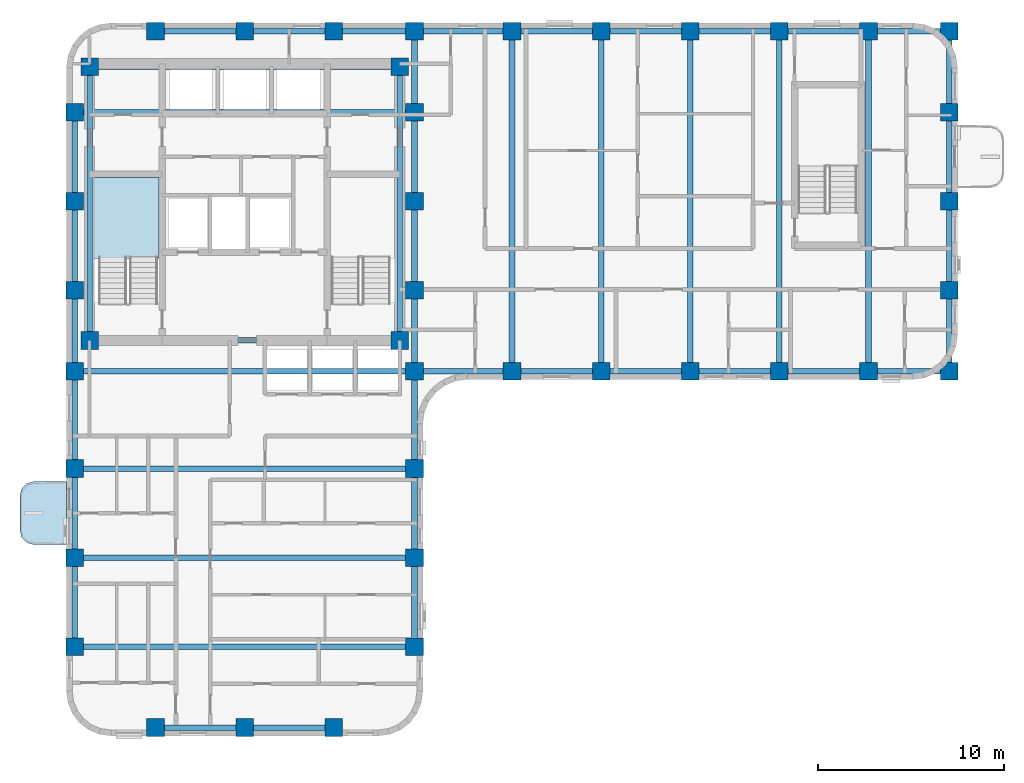
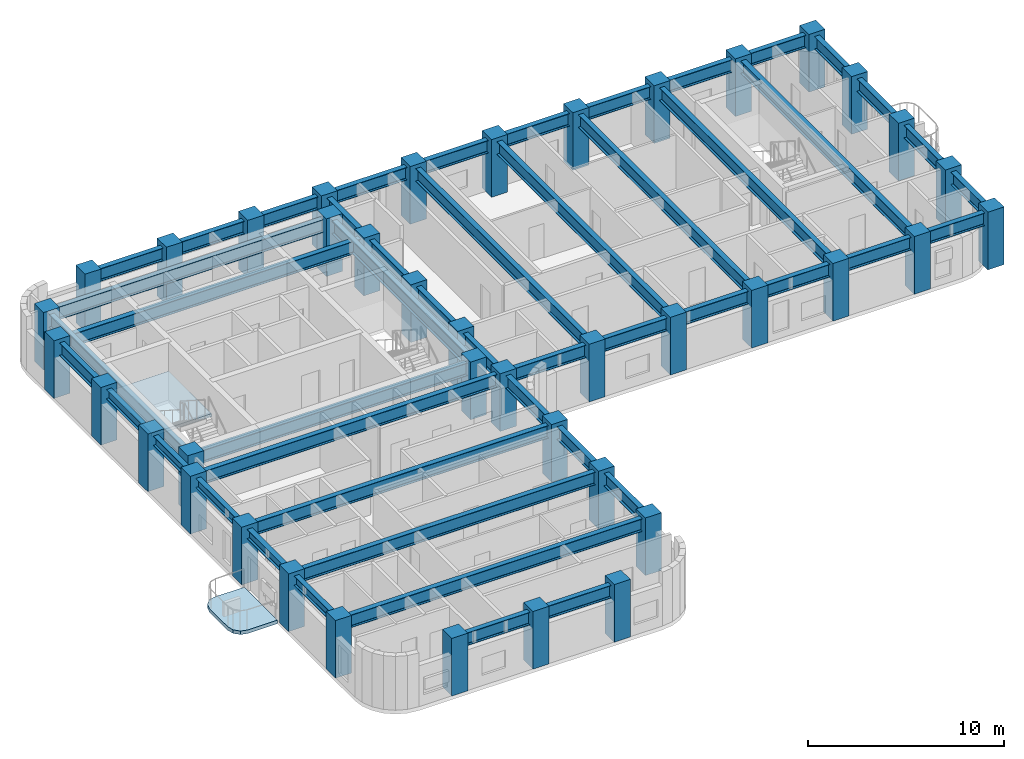
# One storey, part 1 of 9: 48 beams, 40 columns, 2 slabs, 1 element without a shape of its own.
"""IFC4 building model written with IfcOpenShell, lengths in metres."""

from ifc_helpers import new_model, si_unit, direction, frame, origin, origin_2d, place, context, subcontext, project, spatial, polyline, rectangle, i_section, outline, extrude, material, layer, layer_set, material_profile, profile_set, type_object, element, aggregate, save


model = new_model("IFC4")

# Units and contexts
model_context = context("Model", 3, precision=1e-05, world=origin(), true_north=direction((0.0, 1.0)))
body_context = subcontext(model_context, "Body", "Model", "MODEL_VIEW")
ifc_project = project(units=[si_unit("LENGTHUNIT", "METRE"), si_unit("AREAUNIT", "SQUARE_METRE"), si_unit("VOLUMEUNIT", "CUBIC_METRE"), si_unit("PLANEANGLEUNIT", "RADIAN"), si_unit("MASSUNIT", "GRAM", prefix="KILO")], contexts=[model_context])

# Site, building, storey
site_placement = place(None, origin())
site = spatial("IfcSite", under=ifc_project, at=site_placement, CompositionType="ELEMENT")
building_placement = place(site_placement, origin())
building = spatial("IfcBuilding", under=site, at=building_placement, Name="Orvandelia Arch Residences", CompositionType="ELEMENT")
storey_placement = place(building_placement, frame((0.0, 0.0, 128.800048828125)))
storey = spatial("IfcBuildingStorey", under=building, at=storey_placement, Name="L33", CompositionType="ELEMENT", Elevation=128.800048828125)

# Columns
ifc_material_1 = material(Name="Concrete C60/75", Category="concrete")
ifc_material_profile_1 = material_profile(ifc_material_1, rectangle(XDim=0.949951171875, YDim=0.949951171875, at=origin_2d()), Name="Concrete C60/75", Category="concrete")
ifc_profile_set_1 = profile_set([ifc_material_profile_1], Name="Concrete C60/75")
column_type = type_object("IfcColumnType", Name="COL-TWR-950", PredefinedType="COLUMN", material=ifc_profile_set_1)
for number, where, z_axis, x_axis, name in (
    (1, (5.25, 14.39990234375, 0.0), (0.0, 0.0, 1.0), (1.0, 0.0, 0.0), "Structural Column L33-W-W-144"),
    (2, (5.25, 19.199951171875, 0.0), (0.0, 0.0, 1.0), (1.0, 0.0, 0.0), "Structural Column L33-W-W-192"),
    (3, (5.25, 24.0, 0.0), (0.0, 0.0, 1.0), (1.0, 0.0, 0.0), "Structural Column L33-W-W-240"),
    (4, (5.25, 29.25, 0.0), (0.0, 0.0, 1.0), (1.0, 0.0, 0.0), "Structural Column L33-W-W-292"),
    (5, (5.25, 33.60009765625, 0.0), (0.0, 0.0, 1.0), (1.0, 0.0, 0.0), "Structural Column L33-W-W-336"),
    (6, (5.25, 38.39990234375, 0.0), (0.0, 0.0, 1.0), (1.0, 0.0, 0.0), "Structural Column L33-W-W-384"),
    (7, (5.25, 43.199951171875, 0.0), (0.0, 0.0, 1.0), (1.0, 0.0, 0.0), "Structural Column L33-W-W-432"),
    (8, (6.050048828125, 30.89990234375, 0.0), (0.0, 0.0, 1.0), (1.0, 0.0, 0.0), "Structural Column L33-CR-SW"),
    (9, (6.050048828125, 45.64990234375, 0.0), (0.0, 0.0, 1.0), (1.0, 0.0, 0.0), "Structural Column L33-CR-NW"),
    (10, (9.60009765625, 10.050048828125, 0.0), (0.0, 0.0, 1.0), (1.0, 0.0, 0.0), "Structural Column L33-W-S-96"),
    (11, (9.60009765625, 47.550048828125, 0.0), (0.0, 0.0, 1.0), (1.0, 0.0, 0.0), "Structural Column L33-W-N-96"),
    (12, (14.39990234375, 10.050048828125, 0.0), (0.0, 0.0, 1.0), (1.0, 0.0, 0.0), "Structural Column L33-W-S-144"),
    (13, (14.39990234375, 47.550048828125, 0.0), (0.0, 0.0, 1.0), (1.0, 0.0, 0.0), "Structural Column L33-W-N-144"),
    (14, (19.199951171875, 10.050048828125, 0.0), (0.0, 0.0, 1.0), (1.0, 0.0, 0.0), "Structural Column L33-W-S-192"),
    (15, (19.199951171875, 47.550048828125, 0.0), (0.0, 0.0, 1.0), (1.0, 0.0, 0.0), "Structural Column L33-W-N-192"),
    (16, (22.75, 30.89990234375, 0.0), (0.0, 0.0, 1.0), (1.0, 0.0, 0.0), "Structural Column L33-CR-SE"),
    (17, (22.75, 45.64990234375, 0.0), (0.0, 0.0, 1.0), (1.0, 0.0, 0.0), "Structural Column L33-CR-NE"),
    (18, (23.550048828125, 14.39990234375, 0.0), (0.0, 0.0, 1.0), (1.0, 0.0, 0.0), "Structural Column L33-W-E-144"),
    (19, (23.550048828125, 19.199951171875, 0.0), (0.0, 0.0, 1.0), (1.0, 0.0, 0.0), "Structural Column L33-W-E-192"),
    (20, (23.550048828125, 24.0, 0.0), (0.0, 0.0, 1.0), (1.0, 0.0, 0.0), "Structural Column L33-W-E-240"),
    (21, (23.550048828125, 29.25, 0.0), (0.0, 0.0, 1.0), (1.0, 0.0, 0.0), "Structural Column L33-W-E-292"),
    (22, (23.550048828125, 33.60009765625, 0.0), (0.0, 0.0, 1.0), (1.0, 0.0, 0.0), "Structural Column L33-W-E-336"),
    (23, (23.550048828125, 38.39990234375, 0.0), (0.0, 0.0, 1.0), (1.0, 0.0, 0.0), "Structural Column L33-W-E-384"),
    (24, (23.550048828125, 43.199951171875, 0.0), (0.0, 0.0, 1.0), (1.0, 0.0, 0.0), "Structural Column L33-W-E-432"),
    (25, (23.550048828125, 47.550048828125, 0.0), (0.0, 0.0, 1.0), (1.0, 0.0, 0.0), "Structural Column L33-W-N-235"),
    (26, (28.800048828125, 29.25, 0.0), (0.0, 0.0, 1.0), (1.0, 0.0, 0.0), "Structural Column L33-E-S-288"),
    (27, (28.800048828125, 47.550048828125, 0.0), (0.0, 0.0, 1.0), (1.0, 0.0, 0.0), "Structural Column L33-E-N-288"),
    (28, (33.60009765625, 29.25, 0.0), (0.0, 0.0, 1.0), (1.0, 0.0, 0.0), "Structural Column L33-E-S-336"),
    (29, (33.60009765625, 47.550048828125, 0.0), (0.0, 0.0, 1.0), (1.0, 0.0, 0.0), "Structural Column L33-E-N-336"),
    (30, (38.39990234375, 29.25, 0.0), (0.0, 0.0, 1.0), (1.0, 0.0, 0.0), "Structural Column L33-E-S-384"),
    (31, (38.39990234375, 47.550048828125, 0.0), (0.0, 0.0, 1.0), (1.0, 0.0, 0.0), "Structural Column L33-E-N-384"),
    (32, (43.199951171875, 29.25, 0.0), (0.0, 0.0, 1.0), (1.0, 0.0, 0.0), "Structural Column L33-E-S-432"),
    (33, (43.199951171875, 47.550048828125, 0.0), (0.0, 0.0, 1.0), (1.0, 0.0, 0.0), "Structural Column L33-E-N-432"),
    (34, (48.0, 29.25, 0.0), (0.0, 0.0, 1.0), (1.0, 0.0, 0.0), "Structural Column L33-E-S-480"),
    (35, (48.0, 47.550048828125, 0.0), (0.0, 0.0, 1.0), (1.0, 0.0, 0.0), "Structural Column L33-E-N-480"),
    (36, (52.35009765625, 29.25, 0.0), (0.0, 0.0, 1.0), (1.0, 0.0, 0.0), "Structural Column L33-E-S-523"),
    (37, (52.35009765625, 33.60009765625, 0.0), (0.0, 0.0, 1.0), (1.0, 0.0, 0.0), "Structural Column L33-E-523-336"),
    (38, (52.35009765625, 38.39990234375, 0.0), (0.0, 0.0, 1.0), (1.0, 0.0, 0.0), "Structural Column L33-E-523-384"),
    (39, (52.35009765625, 43.199951171875, 0.0), (0.0, 0.0, 1.0), (1.0, 0.0, 0.0), "Structural Column L33-E-523-432"),
    (40, (52.35009765625, 47.550048828125, 0.0), (0.0, 0.0, 1.0), (1.0, 0.0, 0.0), "Structural Column L33-E-N-523"),
):
    element("IfcColumn", number, at=place(storey_placement, frame(where, z_axis=z_axis, x_axis=x_axis)), inside=storey, type_object=column_type, Name=name, PredefinedType="COLUMN", context=body_context, shape_type="SweptSolid", body=[
        extrude(rectangle(XDim=0.949951171875, YDim=0.949951171875, at=origin_2d()), origin(), (0.0, 0.0, 1.0), 3.599853515625),
    ])

# Beams
ifc_material_2 = material(Name="Structural Steel SM355 (355 MPa)", Category="steel")
ifc_material_profile_2 = material_profile(ifc_material_2, i_section(OverallWidth=0.300048828125, OverallDepth=0.800048828125, WebThickness=0.013916015625, FlangeThickness=0.02587890625, FilletRadius=0.02587890625, at=origin_2d()), Name="Structural Steel SM355 (355 MPa)", Category="steel")
ifc_profile_set_2 = profile_set([ifc_material_profile_2], Name="Structural Steel SM355 (355 MPa)")
beam_type_1 = type_object("IfcBeamType", Name="BM-GRD-H800", PredefinedType="BEAM", material=ifc_profile_set_2)
beam_1_placement = place(storey_placement, frame((5.25, 38.39990234375, 2.9599609375), z_axis=(0.0, 1.0, 0.0), x_axis=(-1.0, 0.0, 0.0)))
element("IfcBeam", 41, at=beam_1_placement, inside=storey, type_object=beam_type_1, Name="Structural Frame Beam L33-NS-006", PredefinedType="BEAM", context=body_context, shape_type="SweptSolid", body=[
    extrude(i_section(OverallWidth=0.300048828125, OverallDepth=0.800048828125, WebThickness=0.013916015625, FlangeThickness=0.02587890625, FilletRadius=0.02587890625, at=origin_2d()), origin(), (0.0, 0.0, 1.0), 4.800048828125),
])
for number, where, z_axis, x_axis, name in (
    (42, (6.050048828125, 30.89990234375, 2.9599609375), (0.0, 1.0, 0.0), (-1.0, 0.0, 0.0), "Structural Frame Beam L33-NS-007"),
    (43, (22.75, 30.89990234375, 2.9599609375), (0.0, 1.0, 0.0), (-1.0, 0.0, 0.0), "Structural Frame Beam L33-NS-008"),
):
    element("IfcBeam", number, at=place(storey_placement, frame(where, z_axis=z_axis, x_axis=x_axis)), inside=storey, type_object=beam_type_1, Name=name, PredefinedType="BEAM", context=body_context, shape_type="SweptSolid", body=[
        extrude(i_section(OverallWidth=0.300048828125, OverallDepth=0.800048828125, WebThickness=0.013916015625, FlangeThickness=0.02587890625, FilletRadius=0.02587890625, at=origin_2d()), origin(), (0.0, 0.0, 1.0), 14.75),
    ])
for number, where, z_axis, x_axis, name in (
    (44, (23.550048828125, 14.39990234375, 2.9599609375), (0.0, 1.0, 0.0), (-1.0, 0.0, 0.0), "Structural Frame Beam L33-NS-009"),
    (45, (23.550048828125, 19.199951171875, 2.9599609375), (0.0, 1.0, 0.0), (-1.0, 0.0, 0.0), "Structural Frame Beam L33-NS-010"),
):
    element("IfcBeam", number, at=place(storey_placement, frame(where, z_axis=z_axis, x_axis=x_axis)), inside=storey, type_object=beam_type_1, Name=name, PredefinedType="BEAM", context=body_context, shape_type="SweptSolid", body=[
        extrude(i_section(OverallWidth=0.300048828125, OverallDepth=0.800048828125, WebThickness=0.013916015625, FlangeThickness=0.02587890625, FilletRadius=0.02587890625, at=origin_2d()), origin(), (0.0, 0.0, 1.0), 4.800048828125),
    ])
beam_2_placement = place(storey_placement, frame((23.550048828125, 24.0, 2.9599609375), z_axis=(0.0, 1.0, 0.0), x_axis=(-1.0, 0.0, 0.0)))
element("IfcBeam", 46, at=beam_2_placement, inside=storey, type_object=beam_type_1, Name="Structural Frame Beam L33-NS-011", PredefinedType="BEAM", context=body_context, shape_type="SweptSolid", body=[
    extrude(i_section(OverallWidth=0.300048828125, OverallDepth=0.800048828125, WebThickness=0.013916015625, FlangeThickness=0.02587890625, FilletRadius=0.02587890625, at=origin_2d()), origin(), (0.0, 0.0, 1.0), 5.25),
])
beam_3_placement = place(storey_placement, frame((23.550048828125, 29.25, 2.9599609375), z_axis=(0.0, 1.0, 0.0), x_axis=(-1.0, 0.0, 0.0)))
element("IfcBeam", 47, at=beam_3_placement, inside=storey, type_object=beam_type_1, Name="Structural Frame Beam L33-NS-012", PredefinedType="BEAM", context=body_context, shape_type="SweptSolid", body=[
    extrude(i_section(OverallWidth=0.300048828125, OverallDepth=0.800048828125, WebThickness=0.013916015625, FlangeThickness=0.02587890625, FilletRadius=0.02587890625, at=origin_2d()), origin(), (0.0, 0.0, 1.0), 4.35009765625),
])
beam_4_placement = place(storey_placement, frame((23.550048828125, 33.60009765625, 2.9599609375), z_axis=(0.0, 1.0, 0.0), x_axis=(-1.0, 0.0, 0.0)))
element("IfcBeam", 48, at=beam_4_placement, inside=storey, type_object=beam_type_1, Name="Structural Frame Beam L33-NS-013", PredefinedType="BEAM", context=body_context, shape_type="SweptSolid", body=[
    extrude(i_section(OverallWidth=0.300048828125, OverallDepth=0.800048828125, WebThickness=0.013916015625, FlangeThickness=0.02587890625, FilletRadius=0.02587890625, at=origin_2d()), origin(), (0.0, 0.0, 1.0), 4.7998046875),
])
beam_5_placement = place(storey_placement, frame((23.550048828125, 38.39990234375, 2.9599609375), z_axis=(0.0, 1.0, 0.0), x_axis=(-1.0, 0.0, 0.0)))
element("IfcBeam", 49, at=beam_5_placement, inside=storey, type_object=beam_type_1, Name="Structural Frame Beam L33-NS-014", PredefinedType="BEAM", context=body_context, shape_type="SweptSolid", body=[
    extrude(i_section(OverallWidth=0.300048828125, OverallDepth=0.800048828125, WebThickness=0.013916015625, FlangeThickness=0.02587890625, FilletRadius=0.02587890625, at=origin_2d()), origin(), (0.0, 0.0, 1.0), 4.800048828125),
])
beam_6_placement = place(storey_placement, frame((23.550048828125, 43.199951171875, 2.9599609375), z_axis=(0.0, 1.0, 0.0), x_axis=(-1.0, 0.0, 0.0)))
element("IfcBeam", 50, at=beam_6_placement, inside=storey, type_object=beam_type_1, Name="Structural Frame Beam L33-NS-015", PredefinedType="BEAM", context=body_context, shape_type="SweptSolid", body=[
    extrude(i_section(OverallWidth=0.300048828125, OverallDepth=0.800048828125, WebThickness=0.013916015625, FlangeThickness=0.02587890625, FilletRadius=0.02587890625, at=origin_2d()), origin(), (0.0, 0.0, 1.0), 4.35009765625),
])
for number, where, z_axis, x_axis, name in (
    (51, (28.800048828125, 29.25, 2.9599609375), (0.0, 1.0, 0.0), (-1.0, 0.0, 0.0), "Structural Frame Beam L33-NS-016"),
    (52, (33.60009765625, 29.25, 2.9599609375), (0.0, 1.0, 0.0), (-1.0, 0.0, 0.0), "Structural Frame Beam L33-NS-017"),
    (53, (38.39990234375, 29.25, 2.9599609375), (0.0, 1.0, 0.0), (-1.0, 0.0, 0.0), "Structural Frame Beam L33-NS-018"),
    (54, (43.199951171875, 29.25, 2.9599609375), (0.0, 1.0, 0.0), (-1.0, 0.0, 0.0), "Structural Frame Beam L33-NS-019"),
    (55, (48.0, 29.25, 2.9599609375), (0.0, 1.0, 0.0), (-1.0, 0.0, 0.0), "Structural Frame Beam L33-NS-020"),
):
    element("IfcBeam", number, at=place(storey_placement, frame(where, z_axis=z_axis, x_axis=x_axis)), inside=storey, type_object=beam_type_1, Name=name, PredefinedType="BEAM", context=body_context, shape_type="SweptSolid", body=[
        extrude(i_section(OverallWidth=0.300048828125, OverallDepth=0.800048828125, WebThickness=0.013916015625, FlangeThickness=0.02587890625, FilletRadius=0.02587890625, at=origin_2d()), origin(), (0.0, 0.0, 1.0), 18.300048828125),
    ])
beam_7_placement = place(storey_placement, frame((52.35009765625, 29.25, 2.9599609375), z_axis=(0.0, 1.0, 0.0), x_axis=(-1.0, 0.0, 0.0)))
element("IfcBeam", 56, at=beam_7_placement, inside=storey, type_object=beam_type_1, Name="Structural Frame Beam L33-NS-021", PredefinedType="BEAM", context=body_context, shape_type="SweptSolid", body=[
    extrude(i_section(OverallWidth=0.300048828125, OverallDepth=0.800048828125, WebThickness=0.013916015625, FlangeThickness=0.02587890625, FilletRadius=0.02587890625, at=origin_2d()), origin(), (0.0, 0.0, 1.0), 4.35009765625),
])
beam_8_placement = place(storey_placement, frame((52.35009765625, 33.60009765625, 2.9599609375), z_axis=(0.0, 1.0, 0.0), x_axis=(-1.0, 0.0, 0.0)))
element("IfcBeam", 57, at=beam_8_placement, inside=storey, type_object=beam_type_1, Name="Structural Frame Beam L33-NS-022", PredefinedType="BEAM", context=body_context, shape_type="SweptSolid", body=[
    extrude(i_section(OverallWidth=0.300048828125, OverallDepth=0.800048828125, WebThickness=0.013916015625, FlangeThickness=0.02587890625, FilletRadius=0.02587890625, at=origin_2d()), origin(), (0.0, 0.0, 1.0), 4.7998046875),
])
beam_9_placement = place(storey_placement, frame((52.35009765625, 38.39990234375, 2.9599609375), z_axis=(0.0, 1.0, 0.0), x_axis=(-1.0, 0.0, 0.0)))
element("IfcBeam", 58, at=beam_9_placement, inside=storey, type_object=beam_type_1, Name="Structural Frame Beam L33-NS-023", PredefinedType="BEAM", context=body_context, shape_type="SweptSolid", body=[
    extrude(i_section(OverallWidth=0.300048828125, OverallDepth=0.800048828125, WebThickness=0.013916015625, FlangeThickness=0.02587890625, FilletRadius=0.02587890625, at=origin_2d()), origin(), (0.0, 0.0, 1.0), 4.800048828125),
])
beam_10_placement = place(storey_placement, frame((52.35009765625, 43.199951171875, 2.9599609375), z_axis=(0.0, 1.0, 0.0), x_axis=(-1.0, 0.0, 0.0)))
element("IfcBeam", 59, at=beam_10_placement, inside=storey, type_object=beam_type_1, Name="Structural Frame Beam L33-NS-024", PredefinedType="BEAM", context=body_context, shape_type="SweptSolid", body=[
    extrude(i_section(OverallWidth=0.300048828125, OverallDepth=0.800048828125, WebThickness=0.013916015625, FlangeThickness=0.02587890625, FilletRadius=0.02587890625, at=origin_2d()), origin(), (0.0, 0.0, 1.0), 4.35009765625),
])
beam_11_placement = place(storey_placement, frame((9.60009765625, 10.050048828125, 2.9599609375), z_axis=(1.0, 0.0, 0.0), x_axis=(0.0, 1.0, 0.0)))
element("IfcBeam", 60, at=beam_11_placement, inside=storey, type_object=beam_type_1, Name="Structural Frame Girder L33-EW-025", PredefinedType="BEAM", context=body_context, shape_type="SweptSolid", body=[
    extrude(i_section(OverallWidth=0.300048828125, OverallDepth=0.800048828125, WebThickness=0.013916015625, FlangeThickness=0.02587890625, FilletRadius=0.02587890625, at=origin_2d()), origin(), (0.0, 0.0, 1.0), 4.7998046875),
])
beam_12_placement = place(storey_placement, frame((14.39990234375, 10.050048828125, 2.9599609375), z_axis=(1.0, 0.0, 0.0), x_axis=(0.0, 1.0, 0.0)))
element("IfcBeam", 61, at=beam_12_placement, inside=storey, type_object=beam_type_1, Name="Structural Frame Girder L33-EW-026", PredefinedType="BEAM", context=body_context, shape_type="SweptSolid", body=[
    extrude(i_section(OverallWidth=0.300048828125, OverallDepth=0.800048828125, WebThickness=0.013916015625, FlangeThickness=0.02587890625, FilletRadius=0.02587890625, at=origin_2d()), origin(), (0.0, 0.0, 1.0), 4.800048828125),
])
for number, where, z_axis, x_axis, name in (
    (62, (5.25, 14.39990234375, 2.9599609375), (1.0, 0.0, 0.0), (0.0, 1.0, 0.0), "Structural Frame Girder L33-EW-027"),
    (63, (5.25, 19.199951171875, 2.9599609375), (1.0, 0.0, 0.0), (0.0, 1.0, 0.0), "Structural Frame Girder L33-EW-028"),
    (64, (5.25, 24.0, 2.9599609375), (1.0, 0.0, 0.0), (0.0, 1.0, 0.0), "Structural Frame Girder L33-EW-029"),
    (65, (5.25, 29.25, 2.9599609375), (1.0, 0.0, 0.0), (0.0, 1.0, 0.0), "Structural Frame Girder L33-EW-030"),
):
    element("IfcBeam", number, at=place(storey_placement, frame(where, z_axis=z_axis, x_axis=x_axis)), inside=storey, type_object=beam_type_1, Name=name, PredefinedType="BEAM", context=body_context, shape_type="SweptSolid", body=[
        extrude(i_section(OverallWidth=0.300048828125, OverallDepth=0.800048828125, WebThickness=0.013916015625, FlangeThickness=0.02587890625, FilletRadius=0.02587890625, at=origin_2d()), origin(), (0.0, 0.0, 1.0), 18.300048828125),
    ])
beam_13_placement = place(storey_placement, frame((23.550048828125, 29.25, 2.9599609375), z_axis=(1.0, 0.0, 0.0), x_axis=(0.0, 1.0, 0.0)))
element("IfcBeam", 66, at=beam_13_placement, inside=storey, type_object=beam_type_1, Name="Structural Frame Girder L33-EW-031", PredefinedType="BEAM", context=body_context, shape_type="SweptSolid", body=[
    extrude(i_section(OverallWidth=0.300048828125, OverallDepth=0.800048828125, WebThickness=0.013916015625, FlangeThickness=0.02587890625, FilletRadius=0.02587890625, at=origin_2d()), origin(), (0.0, 0.0, 1.0), 5.25),
])
beam_14_placement = place(storey_placement, frame((28.800048828125, 29.25, 2.9599609375), z_axis=(1.0, 0.0, 0.0), x_axis=(0.0, 1.0, 0.0)))
element("IfcBeam", 67, at=beam_14_placement, inside=storey, type_object=beam_type_1, Name="Structural Frame Girder L33-EW-032", PredefinedType="BEAM", context=body_context, shape_type="SweptSolid", body=[
    extrude(i_section(OverallWidth=0.300048828125, OverallDepth=0.800048828125, WebThickness=0.013916015625, FlangeThickness=0.02587890625, FilletRadius=0.02587890625, at=origin_2d()), origin(), (0.0, 0.0, 1.0), 4.800048828125),
])
beam_15_placement = place(storey_placement, frame((33.60009765625, 29.25, 2.9599609375), z_axis=(1.0, 0.0, 0.0), x_axis=(0.0, 1.0, 0.0)))
element("IfcBeam", 68, at=beam_15_placement, inside=storey, type_object=beam_type_1, Name="Structural Frame Girder L33-EW-033", PredefinedType="BEAM", context=body_context, shape_type="SweptSolid", body=[
    extrude(i_section(OverallWidth=0.300048828125, OverallDepth=0.800048828125, WebThickness=0.013916015625, FlangeThickness=0.02587890625, FilletRadius=0.02587890625, at=origin_2d()), origin(), (0.0, 0.0, 1.0), 4.7998046875),
])
for number, where, z_axis, x_axis, name in (
    (69, (38.39990234375, 29.25, 2.9599609375), (1.0, 0.0, 0.0), (0.0, 1.0, 0.0), "Structural Frame Girder L33-EW-034"),
    (70, (43.199951171875, 29.25, 2.9599609375), (1.0, 0.0, 0.0), (0.0, 1.0, 0.0), "Structural Frame Girder L33-EW-035"),
):
    element("IfcBeam", number, at=place(storey_placement, frame(where, z_axis=z_axis, x_axis=x_axis)), inside=storey, type_object=beam_type_1, Name=name, PredefinedType="BEAM", context=body_context, shape_type="SweptSolid", body=[
        extrude(i_section(OverallWidth=0.300048828125, OverallDepth=0.800048828125, WebThickness=0.013916015625, FlangeThickness=0.02587890625, FilletRadius=0.02587890625, at=origin_2d()), origin(), (0.0, 0.0, 1.0), 4.800048828125),
    ])
beam_16_placement = place(storey_placement, frame((48.0, 29.25, 2.9599609375), z_axis=(1.0, 0.0, 0.0), x_axis=(0.0, 1.0, 0.0)))
element("IfcBeam", 71, at=beam_16_placement, inside=storey, type_object=beam_type_1, Name="Structural Frame Girder L33-EW-036", PredefinedType="BEAM", context=body_context, shape_type="SweptSolid", body=[
    extrude(i_section(OverallWidth=0.300048828125, OverallDepth=0.800048828125, WebThickness=0.013916015625, FlangeThickness=0.02587890625, FilletRadius=0.02587890625, at=origin_2d()), origin(), (0.0, 0.0, 1.0), 4.35009765625),
])
beam_17_placement = place(storey_placement, frame((6.050048828125, 30.89990234375, 2.9599609375), z_axis=(1.0, 0.0, 0.0), x_axis=(0.0, 1.0, 0.0)))
element("IfcBeam", 72, at=beam_17_placement, inside=storey, type_object=beam_type_1, Name="Structural Frame Girder L33-EW-037", PredefinedType="BEAM", context=body_context, shape_type="SweptSolid", body=[
    extrude(i_section(OverallWidth=0.300048828125, OverallDepth=0.800048828125, WebThickness=0.013916015625, FlangeThickness=0.02587890625, FilletRadius=0.02587890625, at=origin_2d()), origin(), (0.0, 0.0, 1.0), 16.699951171875),
])
beam_18_placement = place(storey_placement, frame((5.25, 43.199951171875, 2.9599609375), z_axis=(1.0, 0.0, 0.0), x_axis=(0.0, 1.0, 0.0)))
element("IfcBeam", 73, at=beam_18_placement, inside=storey, type_object=beam_type_1, Name="Structural Frame Girder L33-EW-040", PredefinedType="BEAM", context=body_context, shape_type="SweptSolid", body=[
    extrude(i_section(OverallWidth=0.300048828125, OverallDepth=0.800048828125, WebThickness=0.013916015625, FlangeThickness=0.02587890625, FilletRadius=0.02587890625, at=origin_2d()), origin(), (0.0, 0.0, 1.0), 18.300048828125),
])
beam_19_placement = place(storey_placement, frame((6.050048828125, 45.64990234375, 2.9599609375), z_axis=(1.0, 0.0, 0.0), x_axis=(0.0, 1.0, 0.0)))
element("IfcBeam", 74, at=beam_19_placement, inside=storey, type_object=beam_type_1, Name="Structural Frame Girder L33-EW-041", PredefinedType="BEAM", context=body_context, shape_type="SweptSolid", body=[
    extrude(i_section(OverallWidth=0.300048828125, OverallDepth=0.800048828125, WebThickness=0.013916015625, FlangeThickness=0.02587890625, FilletRadius=0.02587890625, at=origin_2d()), origin(), (0.0, 0.0, 1.0), 16.699951171875),
])
beam_20_placement = place(storey_placement, frame((9.60009765625, 47.550048828125, 2.9599609375), z_axis=(1.0, 0.0, 0.0), x_axis=(0.0, 1.0, 0.0)))
element("IfcBeam", 75, at=beam_20_placement, inside=storey, type_object=beam_type_1, Name="Structural Frame Girder L33-EW-042", PredefinedType="BEAM", context=body_context, shape_type="SweptSolid", body=[
    extrude(i_section(OverallWidth=0.300048828125, OverallDepth=0.800048828125, WebThickness=0.013916015625, FlangeThickness=0.02587890625, FilletRadius=0.02587890625, at=origin_2d()), origin(), (0.0, 0.0, 1.0), 4.7998046875),
])
beam_21_placement = place(storey_placement, frame((14.39990234375, 47.550048828125, 2.9599609375), z_axis=(1.0, 0.0, 0.0), x_axis=(0.0, 1.0, 0.0)))
element("IfcBeam", 76, at=beam_21_placement, inside=storey, type_object=beam_type_1, Name="Structural Frame Girder L33-EW-043", PredefinedType="BEAM", context=body_context, shape_type="SweptSolid", body=[
    extrude(i_section(OverallWidth=0.300048828125, OverallDepth=0.800048828125, WebThickness=0.013916015625, FlangeThickness=0.02587890625, FilletRadius=0.02587890625, at=origin_2d()), origin(), (0.0, 0.0, 1.0), 4.800048828125),
])
beam_22_placement = place(storey_placement, frame((19.199951171875, 47.550048828125, 2.9599609375), z_axis=(1.0, 0.0, 0.0), x_axis=(0.0, 1.0, 0.0)))
element("IfcBeam", 77, at=beam_22_placement, inside=storey, type_object=beam_type_1, Name="Structural Frame Girder L33-EW-044", PredefinedType="BEAM", context=body_context, shape_type="SweptSolid", body=[
    extrude(i_section(OverallWidth=0.300048828125, OverallDepth=0.800048828125, WebThickness=0.013916015625, FlangeThickness=0.02587890625, FilletRadius=0.02587890625, at=origin_2d()), origin(), (0.0, 0.0, 1.0), 4.35009765625),
])
beam_23_placement = place(storey_placement, frame((23.550048828125, 47.550048828125, 2.9599609375), z_axis=(1.0, 0.0, 0.0), x_axis=(0.0, 1.0, 0.0)))
element("IfcBeam", 78, at=beam_23_placement, inside=storey, type_object=beam_type_1, Name="Structural Frame Girder L33-EW-045", PredefinedType="BEAM", context=body_context, shape_type="SweptSolid", body=[
    extrude(i_section(OverallWidth=0.300048828125, OverallDepth=0.800048828125, WebThickness=0.013916015625, FlangeThickness=0.02587890625, FilletRadius=0.02587890625, at=origin_2d()), origin(), (0.0, 0.0, 1.0), 5.25),
])
beam_24_placement = place(storey_placement, frame((28.800048828125, 47.550048828125, 2.9599609375), z_axis=(1.0, 0.0, 0.0), x_axis=(0.0, 1.0, 0.0)))
element("IfcBeam", 79, at=beam_24_placement, inside=storey, type_object=beam_type_1, Name="Structural Frame Girder L33-EW-046", PredefinedType="BEAM", context=body_context, shape_type="SweptSolid", body=[
    extrude(i_section(OverallWidth=0.300048828125, OverallDepth=0.800048828125, WebThickness=0.013916015625, FlangeThickness=0.02587890625, FilletRadius=0.02587890625, at=origin_2d()), origin(), (0.0, 0.0, 1.0), 4.800048828125),
])
beam_25_placement = place(storey_placement, frame((33.60009765625, 47.550048828125, 2.9599609375), z_axis=(1.0, 0.0, 0.0), x_axis=(0.0, 1.0, 0.0)))
element("IfcBeam", 80, at=beam_25_placement, inside=storey, type_object=beam_type_1, Name="Structural Frame Girder L33-EW-047", PredefinedType="BEAM", context=body_context, shape_type="SweptSolid", body=[
    extrude(i_section(OverallWidth=0.300048828125, OverallDepth=0.800048828125, WebThickness=0.013916015625, FlangeThickness=0.02587890625, FilletRadius=0.02587890625, at=origin_2d()), origin(), (0.0, 0.0, 1.0), 4.7998046875),
])
for number, where, z_axis, x_axis, name in (
    (81, (38.39990234375, 47.550048828125, 2.9599609375), (1.0, 0.0, 0.0), (0.0, 1.0, 0.0), "Structural Frame Girder L33-EW-048"),
    (82, (43.199951171875, 47.550048828125, 2.9599609375), (1.0, 0.0, 0.0), (0.0, 1.0, 0.0), "Structural Frame Girder L33-EW-049"),
):
    element("IfcBeam", number, at=place(storey_placement, frame(where, z_axis=z_axis, x_axis=x_axis)), inside=storey, type_object=beam_type_1, Name=name, PredefinedType="BEAM", context=body_context, shape_type="SweptSolid", body=[
        extrude(i_section(OverallWidth=0.300048828125, OverallDepth=0.800048828125, WebThickness=0.013916015625, FlangeThickness=0.02587890625, FilletRadius=0.02587890625, at=origin_2d()), origin(), (0.0, 0.0, 1.0), 4.800048828125),
    ])
beam_26_placement = place(storey_placement, frame((48.0, 47.550048828125, 2.9599609375), z_axis=(1.0, 0.0, 0.0), x_axis=(0.0, 1.0, 0.0)))
element("IfcBeam", 83, at=beam_26_placement, inside=storey, type_object=beam_type_1, Name="Structural Frame Girder L33-EW-050", PredefinedType="BEAM", context=body_context, shape_type="SweptSolid", body=[
    extrude(i_section(OverallWidth=0.300048828125, OverallDepth=0.800048828125, WebThickness=0.013916015625, FlangeThickness=0.02587890625, FilletRadius=0.02587890625, at=origin_2d()), origin(), (0.0, 0.0, 1.0), 4.35009765625),
])
ifc_material_profile_3 = material_profile(ifc_material_2, i_section(OverallWidth=0.300048828125, OverallDepth=0.587890625, WebThickness=0.011962890625, FlangeThickness=0.02001953125, FilletRadius=0.02197265625, at=origin_2d()), Name="Structural Steel SM355 (355 MPa)", Category="steel")
ifc_profile_set_3 = profile_set([ifc_material_profile_3], Name="Structural Steel SM355 (355 MPa)")
beam_type_2 = type_object("IfcBeamType", Name="BM-SPN-H588", PredefinedType="SPANDREL", material=ifc_profile_set_3)
for number, where, z_axis, x_axis, name in (
    (84, (5.25, 14.39990234375, 3.06591796875), (0.0, 1.0, 0.0), (-1.0, 0.0, 0.0), "Structural Frame Beam L33-NS-001"),
    (85, (5.25, 19.199951171875, 3.06591796875), (0.0, 1.0, 0.0), (-1.0, 0.0, 0.0), "Structural Frame Beam L33-NS-002"),
):
    element("IfcBeam", number, at=place(storey_placement, frame(where, z_axis=z_axis, x_axis=x_axis)), inside=storey, type_object=beam_type_2, Name=name, PredefinedType="SPANDREL", context=body_context, shape_type="SweptSolid", body=[
        extrude(i_section(OverallWidth=0.300048828125, OverallDepth=0.587890625, WebThickness=0.011962890625, FlangeThickness=0.02001953125, FilletRadius=0.02197265625, at=origin_2d()), origin(), (0.0, 0.0, 1.0), 4.800048828125),
    ])
beam_27_placement = place(storey_placement, frame((5.25, 24.0, 3.06591796875), z_axis=(0.0, 1.0, 0.0), x_axis=(-1.0, 0.0, 0.0)))
element("IfcBeam", 86, at=beam_27_placement, inside=storey, type_object=beam_type_2, Name="Structural Frame Beam L33-NS-003", PredefinedType="SPANDREL", context=body_context, shape_type="SweptSolid", body=[
    extrude(i_section(OverallWidth=0.300048828125, OverallDepth=0.587890625, WebThickness=0.011962890625, FlangeThickness=0.02001953125, FilletRadius=0.02197265625, at=origin_2d()), origin(), (0.0, 0.0, 1.0), 5.25),
])
beam_28_placement = place(storey_placement, frame((5.25, 29.25, 3.06591796875), z_axis=(0.0, 1.0, 0.0), x_axis=(-1.0, 0.0, 0.0)))
element("IfcBeam", 87, at=beam_28_placement, inside=storey, type_object=beam_type_2, Name="Structural Frame Beam L33-NS-004", PredefinedType="SPANDREL", context=body_context, shape_type="SweptSolid", body=[
    extrude(i_section(OverallWidth=0.300048828125, OverallDepth=0.587890625, WebThickness=0.011962890625, FlangeThickness=0.02001953125, FilletRadius=0.02197265625, at=origin_2d()), origin(), (0.0, 0.0, 1.0), 4.35009765625),
])
beam_29_placement = place(storey_placement, frame((5.25, 33.60009765625, 3.06591796875), z_axis=(0.0, 1.0, 0.0), x_axis=(-1.0, 0.0, 0.0)))
element("IfcBeam", 88, at=beam_29_placement, inside=storey, type_object=beam_type_2, Name="Structural Frame Beam L33-NS-005", PredefinedType="SPANDREL", context=body_context, shape_type="SweptSolid", body=[
    extrude(i_section(OverallWidth=0.300048828125, OverallDepth=0.587890625, WebThickness=0.011962890625, FlangeThickness=0.02001953125, FilletRadius=0.02197265625, at=origin_2d()), origin(), (0.0, 0.0, 1.0), 4.7998046875),
])

# Slab
ifc_material_3 = material(Name="Precast concrete C40/50", Category="concrete")
ifc_layer_1 = layer(ifc_material_3, 0.219970703125, Name="Precast concrete C40/50", Category="concrete")
ifc_layer_set_1 = layer_set([ifc_layer_1], Name="Precast concrete C40/50")
slab_type_1 = type_object("IfcSlabType", Name="SLB-BAL-220", PredefinedType="USERDEFINED", material=ifc_layer_set_1)
slab_1_placement = place(storey_placement, frame((0.0, 0.0, -0.219970703125)))
element("IfcSlab", 89, at=slab_1_placement, inside=storey, type_object=slab_type_1, Name="Tree Balcony Cantilever Slab BAL-L33-W1", ObjectType="BALCONY", PredefinedType="USERDEFINED", context=body_context, shape_type="SweptSolid", body=[
    extrude(outline(polyline([(4.800048828125, 19.89990234375), (4.800048828125, 23.300048828125), (3.050048828125, 23.300048828125), (2.675048828125, 23.199462890625), (2.400390625, 22.925048828125), (2.300048828125, 22.550048828125), (2.300048828125, 20.64990234375), (2.400390625, 20.27490234375), (2.675048828125, 20.00048828125), (3.050048828125, 19.89990234375), (4.800048828125, 19.89990234375)])), origin(), (0.0, 0.0, 1.0), 0.219970703125),
])

# Stair, slab
ifc_material_4 = material(Name="Concrete C40/50", Category="concrete")
stair_type = type_object("IfcStairType", Name="STAIR-RC-DOGLEG", PredefinedType="HALF_TURN_STAIR", material=ifc_material_4)
stair_placement = place(storey_placement, origin())
stair = element("IfcStair", 90, at=stair_placement, inside=storey, type_object=stair_type, Name="L33 Protected Exit Stair ST-1", PredefinedType="HALF_TURN_STAIR")
ifc_layer_2 = layer(ifc_material_4, 0.219970703125, Name="Concrete C40/50", Category="concrete")
ifc_layer_set_2 = layer_set([ifc_layer_2], Name="Concrete C40/50")
slab_type_2 = type_object("IfcSlabType", Name="SLB-LANDING-220", PredefinedType="LANDING", material=ifc_layer_set_2)
slab_2_placement = place(storey_placement, frame((0.0, 0.0, 1.599853515625)))
slab_2 = element("IfcSlab", 91, at=slab_2_placement, type_object=slab_type_2, Name="ST-1 landing 1", PredefinedType="LANDING", context=body_context, shape_type="SweptSolid", body=[
    extrude(outline(polyline([(9.800048828125, 35.31005859375), (9.800048828125, 39.68994140625), (6.260009765625, 39.68994140625), (6.260009765625, 35.31005859375), (9.800048828125, 35.31005859375)])), origin(), (0.0, 0.0, 1.0), 0.2001953125),
])
aggregate(stair, [slab_2])

save(model, "model.ifc")
